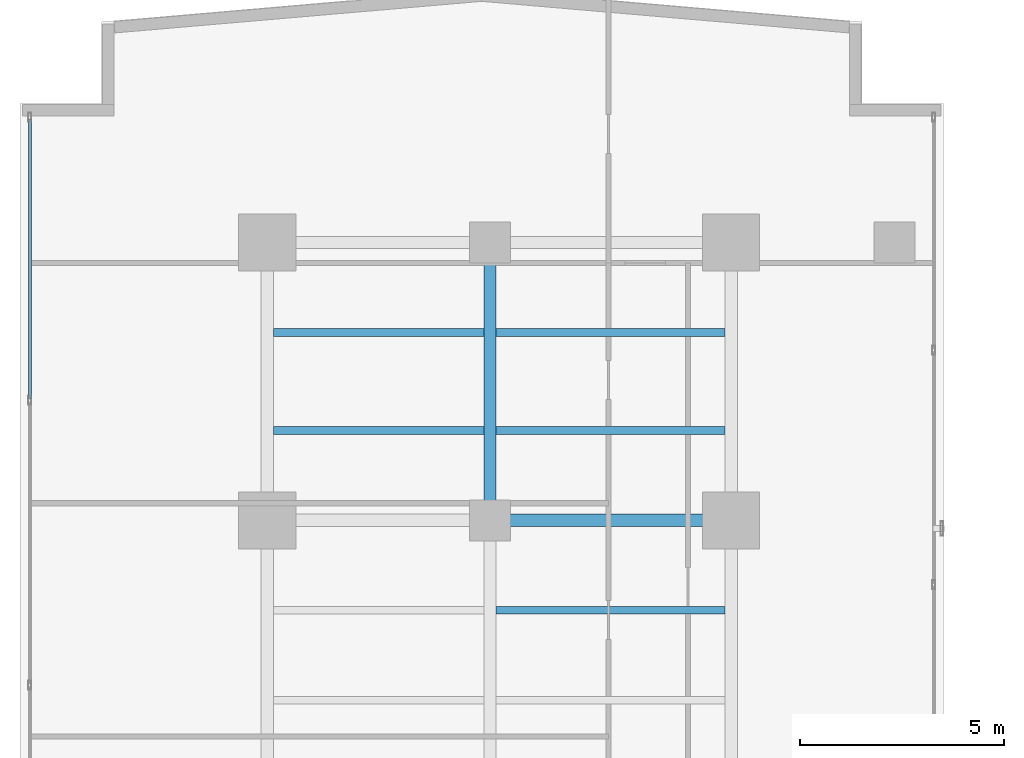
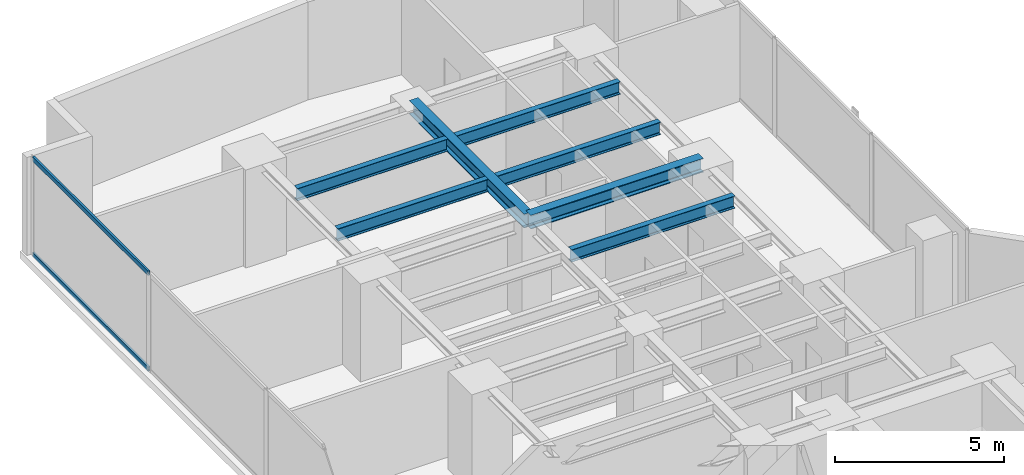
# One storey, part 15 of 24: 7 beams, 2 members, 1 element without a shape of its own.
"""IFC4 building model written with IfcOpenShell, lengths in metres."""

from ifc_helpers import new_model, si_unit, direction, frame, origin, origin_with_axes, origin_2d, place, context, subcontext, project, spatial, hollow_rectangle, i_section, extrude, source, transform, mapped, material, layer, layer_set, material_profile, profile_set, type_object, element, aggregate, save


model = new_model("IFC4")

# Units and contexts
model_context = context("Model", 3, precision=1e-05, world=origin(), true_north=direction((0.0, 1.0)))
body_context = subcontext(model_context, "Body", "Model", "MODEL_VIEW")
ifc_project = project(units=[si_unit("LENGTHUNIT", "METRE"), si_unit("AREAUNIT", "SQUARE_METRE"), si_unit("VOLUMEUNIT", "CUBIC_METRE"), si_unit("PLANEANGLEUNIT", "RADIAN"), si_unit("MASSUNIT", "GRAM", prefix="KILO")], contexts=[model_context])

# Site, building, storey
site_placement = place(None, origin())
site = spatial("IfcSite", under=ifc_project, at=site_placement, CompositionType="ELEMENT")
building_placement = place(site_placement, origin())
building = spatial("IfcBuilding", under=site, at=building_placement, Name="Kolvaren Waterfront Exchange", CompositionType="ELEMENT")
storey_placement = place(building_placement, frame((0.0, 0.0, 95.5)))
storey = spatial("IfcBuildingStorey", under=building, at=storey_placement, Name="L24", CompositionType="ELEMENT", Elevation=95.5)

# Beams
ifc_material_1 = material(Name="Steel S355", Category="steel")
ifc_material_profile_1 = material_profile(ifc_material_1, i_section(OverallWidth=0.300048828125, OverallDepth=0.5, WebThickness=0.014404296875, FlangeThickness=0.028076171875, FilletRadius=0.027099609375, at=origin_2d()), Name="HEB500")
ifc_profile_set_1 = profile_set([ifc_material_profile_1], Name="Steel S355")
beam_type_1 = type_object("IfcBeamType", Name="STR-BM-HEB500", PredefinedType="BEAM", material=ifc_profile_set_1)
beam_1_placement = place(storey_placement, frame((12.89990234375, 37.800048828125, 3.2900390625), z_axis=(1.0, 0.0, 0.0), x_axis=(0.0, 1.0, 0.0)))
element("IfcBeam", 1, at=beam_1_placement, inside=storey, type_object=beam_type_1, Name="L24 north-arm girder 3B", PredefinedType="BEAM", context=body_context, shape_type="SweptSolid", body=[
    extrude(i_section(OverallWidth=0.300048828125, OverallDepth=0.5, WebThickness=0.014404296875, FlangeThickness=0.028076171875, FilletRadius=0.027099609375, at=origin_2d()), origin(), (0.0, 0.0, 1.0), 5.900146484375),
])
beam_2_placement = place(storey_placement, frame((12.89990234375, 37.800048828125, 3.2900390625), z_axis=(0.0, 1.0, 0.0), x_axis=(-1.0, 0.0, 0.0)))
element("IfcBeam", 2, at=beam_2_placement, inside=storey, type_object=beam_type_1, Name="L24 north-arm edge beam 3", PredefinedType="BEAM", context=body_context, shape_type="SweptSolid", body=[
    extrude(i_section(OverallWidth=0.300048828125, OverallDepth=0.5, WebThickness=0.014404296875, FlangeThickness=0.028076171875, FilletRadius=0.027099609375, at=origin_2d()), origin(), (0.0, 0.0, 1.0), 6.800048828125),
])
ifc_material_profile_2 = material_profile(ifc_material_1, i_section(OverallWidth=0.18994140625, OverallDepth=0.449951171875, WebThickness=0.009521484375, FlangeThickness=0.0146484375, FilletRadius=0.02099609375, at=origin_2d()), Name="IPE450")
ifc_profile_set_2 = profile_set([ifc_material_profile_2], Name="Steel S355")
beam_type_2 = type_object("IfcBeamType", Name="STR-BM-IPE450", PredefinedType="JOIST", material=ifc_profile_set_2)
beam_3_placement = place(storey_placement, frame((13.052001953125, 35.60009765625, 3.31494140625), z_axis=(1.0, 0.0, 0.0), x_axis=(0.0, 1.0, 0.0)))
element("IfcBeam", 3, at=beam_3_placement, inside=storey, type_object=beam_type_2, Name="L24 north-arm composite joist 4B", PredefinedType="JOIST", context=body_context, shape_type="SweptSolid", body=[
    extrude(i_section(OverallWidth=0.18994140625, OverallDepth=0.449951171875, WebThickness=0.009521484375, FlangeThickness=0.0146484375, FilletRadius=0.02099609375, at=origin_2d()), origin(), (0.0, 0.0, 1.0), 5.595947265625),
])
beam_4_placement = place(storey_placement, frame((7.60205078125, 40.0, 3.31494140625), z_axis=(1.0, 0.0, 0.0), x_axis=(0.0, 1.0, 0.0)))
element("IfcBeam", 4, at=beam_4_placement, inside=storey, type_object=beam_type_2, Name="L24 north-arm composite joist 5A", PredefinedType="JOIST", context=body_context, shape_type="SweptSolid", body=[
    extrude(i_section(OverallWidth=0.18994140625, OverallDepth=0.449951171875, WebThickness=0.009521484375, FlangeThickness=0.0146484375, FilletRadius=0.02099609375, at=origin_2d()), origin(), (0.0, 0.0, 1.0), 5.14599609375),
])
beam_5_placement = place(storey_placement, frame((13.052001953125, 40.0, 3.31494140625), z_axis=(1.0, 0.0, 0.0), x_axis=(0.0, 1.0, 0.0)))
element("IfcBeam", 5, at=beam_5_placement, inside=storey, type_object=beam_type_2, Name="L24 north-arm composite joist 5B", PredefinedType="JOIST", context=body_context, shape_type="SweptSolid", body=[
    extrude(i_section(OverallWidth=0.18994140625, OverallDepth=0.449951171875, WebThickness=0.009521484375, FlangeThickness=0.0146484375, FilletRadius=0.02099609375, at=origin_2d()), origin(), (0.0, 0.0, 1.0), 5.595947265625),
])
beam_6_placement = place(storey_placement, frame((7.60205078125, 42.39990234375, 3.31494140625), z_axis=(1.0, 0.0, 0.0), x_axis=(0.0, 1.0, 0.0)))
element("IfcBeam", 6, at=beam_6_placement, inside=storey, type_object=beam_type_2, Name="L24 north-arm composite joist 6A", PredefinedType="JOIST", context=body_context, shape_type="SweptSolid", body=[
    extrude(i_section(OverallWidth=0.18994140625, OverallDepth=0.449951171875, WebThickness=0.009521484375, FlangeThickness=0.0146484375, FilletRadius=0.02099609375, at=origin_2d()), origin(), (0.0, 0.0, 1.0), 5.14599609375),
])
beam_7_placement = place(storey_placement, frame((13.052001953125, 42.39990234375, 3.31494140625), z_axis=(1.0, 0.0, 0.0), x_axis=(0.0, 1.0, 0.0)))
element("IfcBeam", 7, at=beam_7_placement, inside=storey, type_object=beam_type_2, Name="L24 north-arm composite joist 6B", PredefinedType="JOIST", context=body_context, shape_type="SweptSolid", body=[
    extrude(i_section(OverallWidth=0.18994140625, OverallDepth=0.449951171875, WebThickness=0.009521484375, FlangeThickness=0.0146484375, FilletRadius=0.02099609375, at=origin_2d()), origin(), (0.0, 0.0, 1.0), 5.595947265625),
])

# Curtain wall, members
ifc_material_2 = material(Name="Anodised aluminium 6063-T6", Category="aluminium")
ifc_layer = layer(ifc_material_2, 0.219970703125, Name="Anodised aluminium 6063-T6")
ifc_layer_set = layer_set([ifc_layer], Name="Anodised aluminium 6063-T6")
curtain_wall_type = type_object("IfcCurtainWallType", Name="ARC-CW-SYS2", PredefinedType="USERDEFINED", material=ifc_layer_set)
curtain_wall_placement = place(storey_placement, origin())
curtain_wall = element("IfcCurtainWall", 8, at=curtain_wall_placement, inside=storey, type_object=curtain_wall_type, Name="L24 stick curtain wall CW2 (CW-L24-W)", ObjectType="STICK CURTAIN WALL", PredefinedType="USERDEFINED")
ifc_material_profile_3 = material_profile(ifc_material_2, hollow_rectangle(XDim=0.074951171875, YDim=0.159912109375, WallThickness=0.00439453125, at=origin_2d()), Name="ALU-TRN-160x75x4.5")
ifc_profile_set_3 = profile_set([ifc_material_profile_3], Name="Anodised aluminium 6063-T6")
member_type = type_object("IfcMemberType", Name="ARC-CWT-160", PredefinedType="USERDEFINED", material=ifc_profile_set_3)
shared_shape = source(origin_with_axes(), body_context, "Body", "SweptSolid", [
    extrude(hollow_rectangle(XDim=0.074951171875, YDim=0.159912109375, WallThickness=0.00439453125, at=origin_2d()), origin(), (0.0, 0.0, 1.0), 6.8466796875),
])
member_1_placement = place(storey_placement, frame((1.639892578125, 40.7734375, 0.03759765625), z_axis=(0.0, 1.0, 0.0), x_axis=(-1.0, 0.0, 0.0)))
member_1 = element("IfcMember", 9, at=member_1_placement, type_object=member_type, Name="CW2 transom 6.1", ObjectType="TRANSOM", PredefinedType="USERDEFINED", context=body_context, shape_type="MappedRepresentation", body=[
    mapped(shared_shape, transform((0.0, 0.0, 0.0), x_axis=(1.0, 0.0, 0.0), y_axis=(0.0, 1.0, 0.0), z_axis=(0.0, 0.0, 1.0), scale=1.0)),
])
member_2_placement = place(storey_placement, frame((1.639892578125, 40.7734375, 3.50244140625), z_axis=(0.0, 1.0, 0.0), x_axis=(-1.0, 0.0, 0.0)))
member_2 = element("IfcMember", 10, at=member_2_placement, type_object=member_type, Name="CW2 transom 6.2", ObjectType="TRANSOM", PredefinedType="USERDEFINED", context=body_context, shape_type="MappedRepresentation", body=[
    mapped(shared_shape, transform((0.0, 0.0, 0.0), x_axis=(1.0, 0.0, 0.0), y_axis=(0.0, 1.0, 0.0), z_axis=(0.0, 0.0, 1.0), scale=1.0)),
])
aggregate(curtain_wall, [member_1, member_2])

save(model, "model.ifc")
